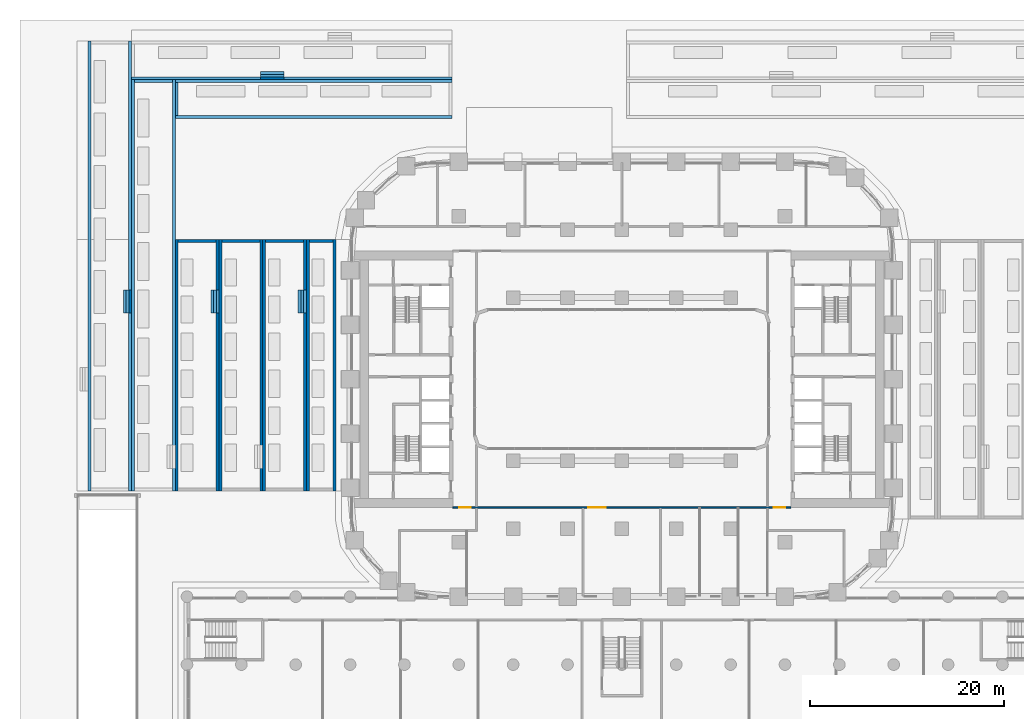
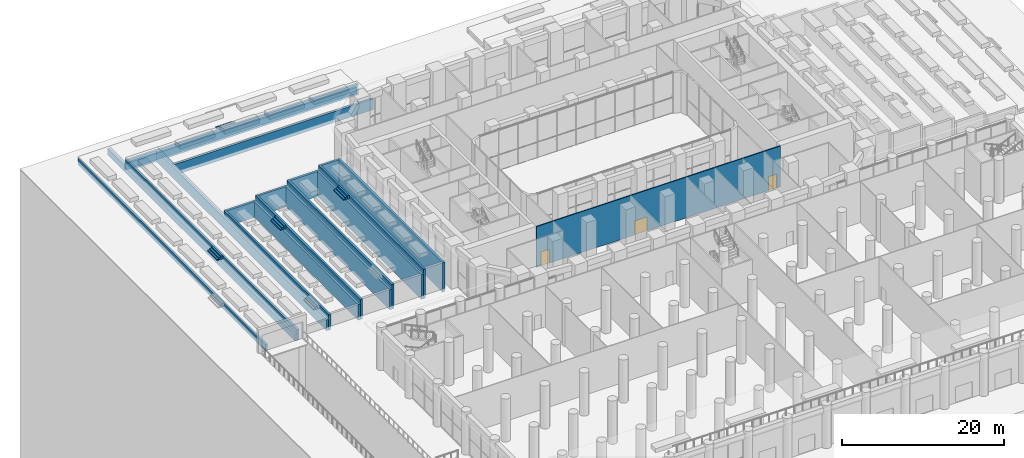
# One storey, part 35 of 51: 34 walls, 3 doors, 3 openings.
"""IFC4 building model written with IfcOpenShell, lengths in metres."""

from ifc_helpers import new_model, si_unit, direction, frame, frame_2d, origin, place, context, subcontext, project, spatial, rectangle, extrude, material, layer, layer_set, type_object, element, fill, save


model = new_model("IFC4")

# Units and contexts
model_context = context("Model", 3, precision=1e-05, world=origin(), true_north=direction((0.0, 1.0)))
body_context = subcontext(model_context, "Body", "Model", "MODEL_VIEW")
ifc_project = project(units=[si_unit("LENGTHUNIT", "METRE"), si_unit("AREAUNIT", "SQUARE_METRE"), si_unit("VOLUMEUNIT", "CUBIC_METRE"), si_unit("PLANEANGLEUNIT", "RADIAN"), si_unit("MASSUNIT", "GRAM", prefix="KILO")], contexts=[model_context])

# Site, building, storey
site_placement = place(None, origin())
site = spatial("IfcSite", under=ifc_project, at=site_placement, CompositionType="ELEMENT")
building_placement = place(site_placement, origin())
building = spatial("IfcBuilding", under=site, at=building_placement, Name="Kiln Ring Residences", CompositionType="ELEMENT")
storey_placement = place(building_placement, origin())
storey = spatial("IfcBuildingStorey", under=building, at=storey_placement, Name="L00", CompositionType="ELEMENT", Elevation=0.0)

# Wall, openings, doors
ifc_material_1 = material(Name="Brick masonry partition", Category="masonry")
ifc_layer_1 = layer(ifc_material_1, 0.14990234375)
ifc_layer_set_1 = layer_set([ifc_layer_1], Name="PARTITION-150-ei60")
wall_type_1 = type_object("IfcWallType", Name="PARTITION-150-ei60", PredefinedType="PARTITIONING", material=ifc_layer_set_1)
wall_1_placement = place(storey_placement, frame((-17.39990234375, -13.199951171875, 0.0), z_axis=(0.0, 0.0, 1.0), x_axis=(1.0, 0.0, 0.0)))
wall_1 = element("IfcWall", 1, at=wall_1_placement, inside=storey, type_object=wall_type_1, Name="Partition 015", PredefinedType="PARTITIONING", context=body_context, shape_type="SweptSolid", body=[
    extrude(rectangle(XDim=34.7998046875, YDim=0.14990234375, at=frame_2d((17.39990234375, 0.0))), origin(), (0.0, 0.0, 1.0), 6.14990234375),
])
opening_1_placement = place(wall_1_placement, frame((13.949951171875, 0.0, 0.0)))
opening_1 = element("IfcOpeningElement", 2, at=opening_1_placement, cuts=wall_1, Name="Opening L00-D004", PredefinedType="OPENING", context=body_context, shape_type="SweptSolid", body=[
    extrude(rectangle(XDim=1.800048828125, YDim=2.10009765625, at=frame_2d((0.89990234375, 1.050048828125))), frame((0.0, 0.0849609375, 0.0), z_axis=(0.0, -1.0, 0.0), x_axis=(1.0, 0.0, 0.0)), (0.0, 0.0, 1.0), 0.169921875),
])
opening_2_placement = place(wall_1_placement, frame((33.050048828125, 0.0, 0.0)))
opening_2 = element("IfcOpeningElement", 3, at=opening_2_placement, cuts=wall_1, Name="Opening L00-D022", PredefinedType="OPENING", context=body_context, shape_type="SweptSolid", body=[
    extrude(rectangle(XDim=1.199951171875, YDim=2.10009765625, at=frame_2d((0.60009765625, 1.050048828125))), frame((0.0, 0.0849609375, 0.0), z_axis=(0.0, -1.0, 0.0), x_axis=(1.0, 0.0, 0.0)), (0.0, 0.0, 1.0), 0.169921875),
])
opening_3_placement = place(wall_1_placement, frame((0.64990234375, 0.0, 0.0)))
opening_3 = element("IfcOpeningElement", 4, at=opening_3_placement, cuts=wall_1, Name="Opening L00-D023", PredefinedType="OPENING", context=body_context, shape_type="SweptSolid", body=[
    extrude(rectangle(XDim=1.199951171875, YDim=2.10009765625, at=frame_2d((0.60009765625, 1.050048828125))), frame((0.0, 0.0849609375, 0.0), z_axis=(0.0, -1.0, 0.0), x_axis=(1.0, 0.0, 0.0)), (0.0, 0.0, 1.0), 0.169921875),
])
ifc_material_2 = material(Name="Steel faced fire door leaf", Category="steel")
door_type_1 = type_object("IfcDoorType", Name="FLAT-DOOR-1200-FR", OperationType="SINGLE_SWING_LEFT", PredefinedType="DOOR", material=ifc_material_2)
door_1_placement = place(opening_2_placement, origin())
door_1 = element("IfcDoor", 5, at=door_1_placement, inside=storey, type_object=door_type_1, Name="Door L00-D022", OperationType="SINGLE_SWING_RIGHT", OverallHeight=2.10009765625, OverallWidth=1.199951171875, PredefinedType="DOOR", context=body_context, shape_type="SweptSolid", body=[
    extrude(rectangle(XDim=1.199951171875, YDim=2.10009765625, at=frame_2d((0.60009765625, 1.050048828125))), frame((0.0, 0.02490234375, 0.0), z_axis=(0.0, -1.0, 0.0), x_axis=(1.0, 0.0, 0.0)), (0.0, 0.0, 1.0), 0.050048828125),
])
fill(opening_2, door_1)
door_2_placement = place(opening_3_placement, origin())
door_2 = element("IfcDoor", 6, at=door_2_placement, inside=storey, type_object=door_type_1, Name="Door L00-D023", OperationType="SINGLE_SWING_LEFT", OverallHeight=2.10009765625, OverallWidth=1.199951171875, PredefinedType="DOOR", context=body_context, shape_type="SweptSolid", body=[
    extrude(rectangle(XDim=1.199951171875, YDim=2.10009765625, at=frame_2d((0.60009765625, 1.050048828125))), frame((0.0, 0.02490234375, 0.0), z_axis=(0.0, -1.0, 0.0), x_axis=(1.0, 0.0, 0.0)), (0.0, 0.0, 1.0), 0.050048828125),
])
fill(opening_3, door_2)
ifc_material_3 = material(Name="Steel faced fire door leaf", Category="steel")
door_type_2 = type_object("IfcDoorType", Name="FLAT-DOOR-1800-FR", OperationType="SINGLE_SWING_LEFT", PredefinedType="DOOR", material=ifc_material_3)
door_3_placement = place(opening_1_placement, origin())
door_3 = element("IfcDoor", 7, at=door_3_placement, inside=storey, type_object=door_type_2, Name="Door L00-D004", OperationType="SINGLE_SWING_RIGHT", OverallHeight=2.10009765625, OverallWidth=1.800048828125, PredefinedType="DOOR", context=body_context, shape_type="SweptSolid", body=[
    extrude(rectangle(XDim=1.800048828125, YDim=2.10009765625, at=frame_2d((0.89990234375, 1.050048828125))), frame((0.0, 0.02490234375, 0.0), z_axis=(0.0, -1.0, 0.0), x_axis=(1.0, 0.0, 0.0)), (0.0, 0.0, 1.0), 0.050048828125),
])
fill(opening_1, door_3)

# Walls
ifc_material_4 = material(Name="Concrete C35/45", Category="concrete")
ifc_layer_2 = layer(ifc_material_4, 0.300048828125)
ifc_layer_set_2 = layer_set([ifc_layer_2], Name="TERRACE RETAINING WALL 300")
wall_type_2 = type_object("IfcWallType", Name="TERRACE RETAINING WALL 300", PredefinedType="SOLIDWALL", material=ifc_layer_set_2)
for number, where, z_axis, x_axis, name in (
    (8, (-29.60009765625, -11.5, -0.5), (0.0, 0.0, 1.0), (0.0, 1.0, 0.0), "Terrace retaining wall W1 in"),
    (9, (-32.35009765625, -11.5, -0.5), (0.0, 0.0, 1.0), (0.0, 1.0, 0.0), "Terrace retaining wall W1 out"),
):
    element("IfcWall", number, at=place(storey_placement, frame(where, z_axis=z_axis, x_axis=x_axis)), inside=storey, type_object=wall_type_2, Name=name, PredefinedType="SOLIDWALL", context=body_context, shape_type="SweptSolid", body=[
        extrude(rectangle(XDim=25.89990234375, YDim=0.300048828125, at=frame_2d((12.949951171875, 0.0))), origin(), (0.0, 0.0, 1.0), 4.449951171875),
    ])
wall_2_placement = place(storey_placement, frame((-32.199951171875, 14.25, -0.5), z_axis=(0.0, 0.0, 1.0), x_axis=(1.0, 0.0, 0.0)))
element("IfcWall", 10, at=wall_2_placement, inside=storey, type_object=wall_type_2, Name="Terrace end wall W1 n", PredefinedType="SOLIDWALL", context=body_context, shape_type="SweptSolid", body=[
    extrude(rectangle(XDim=2.449951171875, YDim=0.300048828125, at=frame_2d((1.22509765625, 0.0))), origin(), (0.0, 0.0, 1.0), 4.449951171875),
])
for number, where, z_axis, x_axis, name in (
    (11, (-32.64990234375, -11.5, -0.5), (0.0, 0.0, 1.0), (0.0, 1.0, 0.0), "Terrace retaining wall W2 in"),
    (12, (-36.85009765625, -11.5, -0.5), (0.0, 0.0, 1.0), (0.0, 1.0, 0.0), "Terrace retaining wall W2 out"),
):
    element("IfcWall", number, at=place(storey_placement, frame(where, z_axis=z_axis, x_axis=x_axis)), inside=storey, type_object=wall_type_2, Name=name, PredefinedType="SOLIDWALL", context=body_context, shape_type="SweptSolid", body=[
        extrude(rectangle(XDim=25.89990234375, YDim=0.300048828125, at=frame_2d((12.949951171875, 0.0))), origin(), (0.0, 0.0, 1.0), 3.75),
    ])
wall_3_placement = place(storey_placement, frame((-36.699951171875, 14.25, -0.5), z_axis=(0.0, 0.0, 1.0), x_axis=(1.0, 0.0, 0.0)))
element("IfcWall", 13, at=wall_3_placement, inside=storey, type_object=wall_type_2, Name="Terrace end wall W2 n", PredefinedType="SOLIDWALL", context=body_context, shape_type="SweptSolid", body=[
    extrude(rectangle(XDim=3.89990234375, YDim=0.300048828125, at=frame_2d((1.949951171875, 0.0))), origin(), (0.0, 0.0, 1.0), 3.75),
])
for number, where, z_axis, x_axis, name in (
    (14, (-37.14990234375, -11.5, -0.5), (0.0, 0.0, 1.0), (0.0, 1.0, 0.0), "Terrace retaining wall W3 in"),
    (15, (-41.35009765625, -11.5, -0.5), (0.0, 0.0, 1.0), (0.0, 1.0, 0.0), "Terrace retaining wall W3 out"),
):
    element("IfcWall", number, at=place(storey_placement, frame(where, z_axis=z_axis, x_axis=x_axis)), inside=storey, type_object=wall_type_2, Name=name, PredefinedType="SOLIDWALL", context=body_context, shape_type="SweptSolid", body=[
        extrude(rectangle(XDim=25.89990234375, YDim=0.300048828125, at=frame_2d((12.949951171875, 0.0))), origin(), (0.0, 0.0, 1.0), 3.050048828125),
    ])
wall_4_placement = place(storey_placement, frame((-41.199951171875, 14.25, -0.5), z_axis=(0.0, 0.0, 1.0), x_axis=(1.0, 0.0, 0.0)))
element("IfcWall", 16, at=wall_4_placement, inside=storey, type_object=wall_type_2, Name="Terrace end wall W3 n", PredefinedType="SOLIDWALL", context=body_context, shape_type="SweptSolid", body=[
    extrude(rectangle(XDim=3.89990234375, YDim=0.300048828125, at=frame_2d((1.949951171875, 0.0))), origin(), (0.0, 0.0, 1.0), 3.050048828125),
])
for number, where, z_axis, x_axis, name in (
    (17, (-41.64990234375, -11.5, -0.5), (0.0, 0.0, 1.0), (0.0, 1.0, 0.0), "Terrace retaining wall W4 in"),
    (18, (-45.85009765625, -11.5, -0.5), (0.0, 0.0, 1.0), (0.0, 1.0, 0.0), "Terrace retaining wall W4 out"),
):
    element("IfcWall", number, at=place(storey_placement, frame(where, z_axis=z_axis, x_axis=x_axis)), inside=storey, type_object=wall_type_2, Name=name, PredefinedType="SOLIDWALL", context=body_context, shape_type="SweptSolid", body=[
        extrude(rectangle(XDim=25.89990234375, YDim=0.300048828125, at=frame_2d((12.949951171875, 0.0))), origin(), (0.0, 0.0, 1.0), 2.35009765625),
    ])
wall_5_placement = place(storey_placement, frame((-45.699951171875, 14.25, -0.5), z_axis=(0.0, 0.0, 1.0), x_axis=(1.0, 0.0, 0.0)))
element("IfcWall", 19, at=wall_5_placement, inside=storey, type_object=wall_type_2, Name="Terrace end wall W4 n", PredefinedType="SOLIDWALL", context=body_context, shape_type="SweptSolid", body=[
    extrude(rectangle(XDim=3.89990234375, YDim=0.300048828125, at=frame_2d((1.949951171875, 0.0))), origin(), (0.0, 0.0, 1.0), 2.35009765625),
])
for number, where, z_axis, x_axis, name in (
    (20, (-46.14990234375, -11.5, -0.5), (0.0, 0.0, 1.0), (0.0, 1.0, 0.0), "Terrace retaining wall W5 in"),
    (21, (-50.35009765625, -11.5, -0.5), (0.0, 0.0, 1.0), (0.0, 1.0, 0.0), "Terrace retaining wall W5 out"),
):
    element("IfcWall", number, at=place(storey_placement, frame(where, z_axis=z_axis, x_axis=x_axis)), inside=storey, type_object=wall_type_2, Name=name, PredefinedType="SOLIDWALL", context=body_context, shape_type="SweptSolid", body=[
        extrude(rectangle(XDim=42.35009765625, YDim=0.300048828125, at=frame_2d((21.175048828125, 0.0))), origin(), (0.0, 0.0, 1.0), 1.64990234375),
    ])
wall_6_placement = place(storey_placement, frame((-50.199951171875, 30.699951171875, -0.5), z_axis=(0.0, 0.0, 1.0), x_axis=(1.0, 0.0, 0.0)))
element("IfcWall", 22, at=wall_6_placement, inside=storey, type_object=wall_type_2, Name="Terrace end wall W5 n", PredefinedType="SOLIDWALL", context=body_context, shape_type="SweptSolid", body=[
    extrude(rectangle(XDim=3.89990234375, YDim=0.300048828125, at=frame_2d((1.949951171875, 0.0))), origin(), (0.0, 0.0, 1.0), 1.64990234375),
])
for number, where, z_axis, x_axis, name in (
    (23, (-50.64990234375, -11.5, -0.5), (0.0, 0.0, 1.0), (0.0, 1.0, 0.0), "Terrace retaining wall W6 in"),
    (24, (-54.85009765625, -11.5, -0.5), (0.0, 0.0, 1.0), (0.0, 1.0, 0.0), "Terrace retaining wall W6 out"),
):
    element("IfcWall", number, at=place(storey_placement, frame(where, z_axis=z_axis, x_axis=x_axis)), inside=storey, type_object=wall_type_2, Name=name, PredefinedType="SOLIDWALL", context=body_context, shape_type="SweptSolid", body=[
        extrude(rectangle(XDim=46.35009765625, YDim=0.300048828125, at=frame_2d((23.175048828125, 0.0))), origin(), (0.0, 0.0, 1.0), 0.949951171875),
    ])
for number, where, z_axis, x_axis, name in (
    (25, (-46.0, 27.0, -0.5), (0.0, 0.0, 1.0), (1.0, 0.0, 0.0), "Terrace retaining wall N1W in"),
    (26, (-46.0, 30.699951171875, -0.5), (0.0, 0.0, 1.0), (1.0, 0.0, 0.0), "Terrace retaining wall N1W out"),
):
    element("IfcWall", number, at=place(storey_placement, frame(where, z_axis=z_axis, x_axis=x_axis)), inside=storey, type_object=wall_type_2, Name=name, PredefinedType="SOLIDWALL", context=body_context, shape_type="SweptSolid", body=[
        extrude(rectangle(XDim=28.5, YDim=0.300048828125, at=frame_2d((14.25, 0.0))), origin(), (0.0, 0.0, 1.0), 1.64990234375),
    ])
wall_7_placement = place(storey_placement, frame((-45.85009765625, 27.14990234375, -0.5), z_axis=(0.0, 0.0, 1.0), x_axis=(0.0, 1.0, 0.0)))
element("IfcWall", 27, at=wall_7_placement, inside=storey, type_object=wall_type_2, Name="Terrace retaining wall N1W w", PredefinedType="SOLIDWALL", context=body_context, shape_type="SweptSolid", body=[
    extrude(rectangle(XDim=3.400146484375, YDim=0.300048828125, at=frame_2d((1.7001953125, 0.0))), origin(), (0.0, 0.0, 1.0), 1.64990234375),
])
wall_8_placement = place(storey_placement, frame((-50.5, 31.0, -0.5), z_axis=(0.0, 0.0, 1.0), x_axis=(1.0, 0.0, 0.0)))
element("IfcWall", 28, at=wall_8_placement, inside=storey, type_object=wall_type_2, Name="Terrace retaining wall N2W in", PredefinedType="SOLIDWALL", context=body_context, shape_type="SweptSolid", body=[
    extrude(rectangle(XDim=33.0, YDim=0.300048828125, at=frame_2d((16.5, 0.0))), origin(), (0.0, 0.0, 1.0), 0.949951171875),
])
ifc_material_5 = material(Name="Concrete C35/45", Category="concrete")
ifc_layer_3 = layer(ifc_material_5, 0.280029296875)
ifc_layer_set_3 = layer_set([ifc_layer_3], Name="TERRACE STEP 280")
wall_type_3 = type_object("IfcWallType", Name="TERRACE STEP 280", PredefinedType="SOLIDWALL", material=ifc_layer_set_3)
wall_9_placement = place(storey_placement, frame((-33.199951171875, 6.800048828125, 3.5), z_axis=(0.0, 0.0, 1.0), x_axis=(0.0, 1.0, 0.0)))
element("IfcWall", 29, at=wall_9_placement, inside=storey, type_object=wall_type_3, Name="Terrace step W1-1", PredefinedType="SOLIDWALL", context=body_context, shape_type="SweptSolid", body=[
    extrude(rectangle(XDim=2.39990234375, YDim=0.280029296875, at=frame_2d((1.199951171875, 0.0))), origin(), (0.0, 0.0, 1.0), 0.175048828125),
])
wall_10_placement = place(storey_placement, frame((-32.919921875, 6.800048828125, 3.5), z_axis=(0.0, 0.0, 1.0), x_axis=(0.0, 1.0, 0.0)))
element("IfcWall", 30, at=wall_10_placement, inside=storey, type_object=wall_type_3, Name="Terrace step W1-2", PredefinedType="SOLIDWALL", context=body_context, shape_type="SweptSolid", body=[
    extrude(rectangle(XDim=2.39990234375, YDim=0.280029296875, at=frame_2d((1.199951171875, 0.0))), origin(), (0.0, 0.0, 1.0), 0.35009765625),
])
wall_11_placement = place(storey_placement, frame((-32.639892578125, 6.800048828125, 3.5), z_axis=(0.0, 0.0, 1.0), x_axis=(0.0, 1.0, 0.0)))
element("IfcWall", 31, at=wall_11_placement, inside=storey, type_object=wall_type_3, Name="Terrace step W1-3", PredefinedType="SOLIDWALL", context=body_context, shape_type="SweptSolid", body=[
    extrude(rectangle(XDim=2.39990234375, YDim=0.280029296875, at=frame_2d((1.199951171875, 0.0))), origin(), (0.0, 0.0, 1.0), 0.52490234375),
])
wall_12_placement = place(storey_placement, frame((-42.199951171875, 6.800048828125, 2.10009765625), z_axis=(0.0, 0.0, 1.0), x_axis=(0.0, 1.0, 0.0)))
element("IfcWall", 32, at=wall_12_placement, inside=storey, type_object=wall_type_3, Name="Terrace step W3-1", PredefinedType="SOLIDWALL", context=body_context, shape_type="SweptSolid", body=[
    extrude(rectangle(XDim=2.39990234375, YDim=0.280029296875, at=frame_2d((1.199951171875, 0.0))), origin(), (0.0, 0.0, 1.0), 0.1748046875),
])
wall_13_placement = place(storey_placement, frame((-41.919921875, 6.800048828125, 2.10009765625), z_axis=(0.0, 0.0, 1.0), x_axis=(0.0, 1.0, 0.0)))
element("IfcWall", 33, at=wall_13_placement, inside=storey, type_object=wall_type_3, Name="Terrace step W3-2", PredefinedType="SOLIDWALL", context=body_context, shape_type="SweptSolid", body=[
    extrude(rectangle(XDim=2.39990234375, YDim=0.280029296875, at=frame_2d((1.199951171875, 0.0))), origin(), (0.0, 0.0, 1.0), 0.349853515625),
])
wall_14_placement = place(storey_placement, frame((-41.639892578125, 6.800048828125, 2.10009765625), z_axis=(0.0, 0.0, 1.0), x_axis=(0.0, 1.0, 0.0)))
element("IfcWall", 34, at=wall_14_placement, inside=storey, type_object=wall_type_3, Name="Terrace step W3-3", PredefinedType="SOLIDWALL", context=body_context, shape_type="SweptSolid", body=[
    extrude(rectangle(XDim=2.39990234375, YDim=0.280029296875, at=frame_2d((1.199951171875, 0.0))), origin(), (0.0, 0.0, 1.0), 0.52490234375),
])
wall_15_placement = place(storey_placement, frame((-51.199951171875, 6.800048828125, 0.699951171875), z_axis=(0.0, 0.0, 1.0), x_axis=(0.0, 1.0, 0.0)))
element("IfcWall", 35, at=wall_15_placement, inside=storey, type_object=wall_type_3, Name="Terrace step W5-1", PredefinedType="SOLIDWALL", context=body_context, shape_type="SweptSolid", body=[
    extrude(rectangle(XDim=2.39990234375, YDim=0.280029296875, at=frame_2d((1.199951171875, 0.0))), origin(), (0.0, 0.0, 1.0), 0.175048828125),
])
wall_16_placement = place(storey_placement, frame((-50.919921875, 6.800048828125, 0.699951171875), z_axis=(0.0, 0.0, 1.0), x_axis=(0.0, 1.0, 0.0)))
element("IfcWall", 36, at=wall_16_placement, inside=storey, type_object=wall_type_3, Name="Terrace step W5-2", PredefinedType="SOLIDWALL", context=body_context, shape_type="SweptSolid", body=[
    extrude(rectangle(XDim=2.39990234375, YDim=0.280029296875, at=frame_2d((1.199951171875, 0.0))), origin(), (0.0, 0.0, 1.0), 0.35009765625),
])
wall_17_placement = place(storey_placement, frame((-50.639892578125, 6.800048828125, 0.699951171875), z_axis=(0.0, 0.0, 1.0), x_axis=(0.0, 1.0, 0.0)))
element("IfcWall", 37, at=wall_17_placement, inside=storey, type_object=wall_type_3, Name="Terrace step W5-3", PredefinedType="SOLIDWALL", context=body_context, shape_type="SweptSolid", body=[
    extrude(rectangle(XDim=2.39990234375, YDim=0.280029296875, at=frame_2d((1.199951171875, 0.0))), origin(), (0.0, 0.0, 1.0), 0.525146484375),
])
wall_18_placement = place(storey_placement, frame((-37.22509765625, 31.550048828125, 0.699951171875), z_axis=(0.0, 0.0, 1.0), x_axis=(1.0, 0.0, 0.0)))
element("IfcWall", 38, at=wall_18_placement, inside=storey, type_object=wall_type_3, Name="Terrace step N1W-1", PredefinedType="SOLIDWALL", context=body_context, shape_type="SweptSolid", body=[
    extrude(rectangle(XDim=2.400146484375, YDim=0.280029296875, at=frame_2d((1.2001953125, 0.0))), origin(), (0.0, 0.0, 1.0), 0.175048828125),
])
wall_19_placement = place(storey_placement, frame((-37.22509765625, 31.27001953125, 0.699951171875), z_axis=(0.0, 0.0, 1.0), x_axis=(1.0, 0.0, 0.0)))
element("IfcWall", 39, at=wall_19_placement, inside=storey, type_object=wall_type_3, Name="Terrace step N1W-2", PredefinedType="SOLIDWALL", context=body_context, shape_type="SweptSolid", body=[
    extrude(rectangle(XDim=2.400146484375, YDim=0.280029296875, at=frame_2d((1.2001953125, 0.0))), origin(), (0.0, 0.0, 1.0), 0.35009765625),
])
wall_20_placement = place(storey_placement, frame((-37.22509765625, 30.989990234375, 0.699951171875), z_axis=(0.0, 0.0, 1.0), x_axis=(1.0, 0.0, 0.0)))
element("IfcWall", 40, at=wall_20_placement, inside=storey, type_object=wall_type_3, Name="Terrace step N1W-3", PredefinedType="SOLIDWALL", context=body_context, shape_type="SweptSolid", body=[
    extrude(rectangle(XDim=2.400146484375, YDim=0.280029296875, at=frame_2d((1.2001953125, 0.0))), origin(), (0.0, 0.0, 1.0), 0.525146484375),
])

save(model, "model.ifc")
